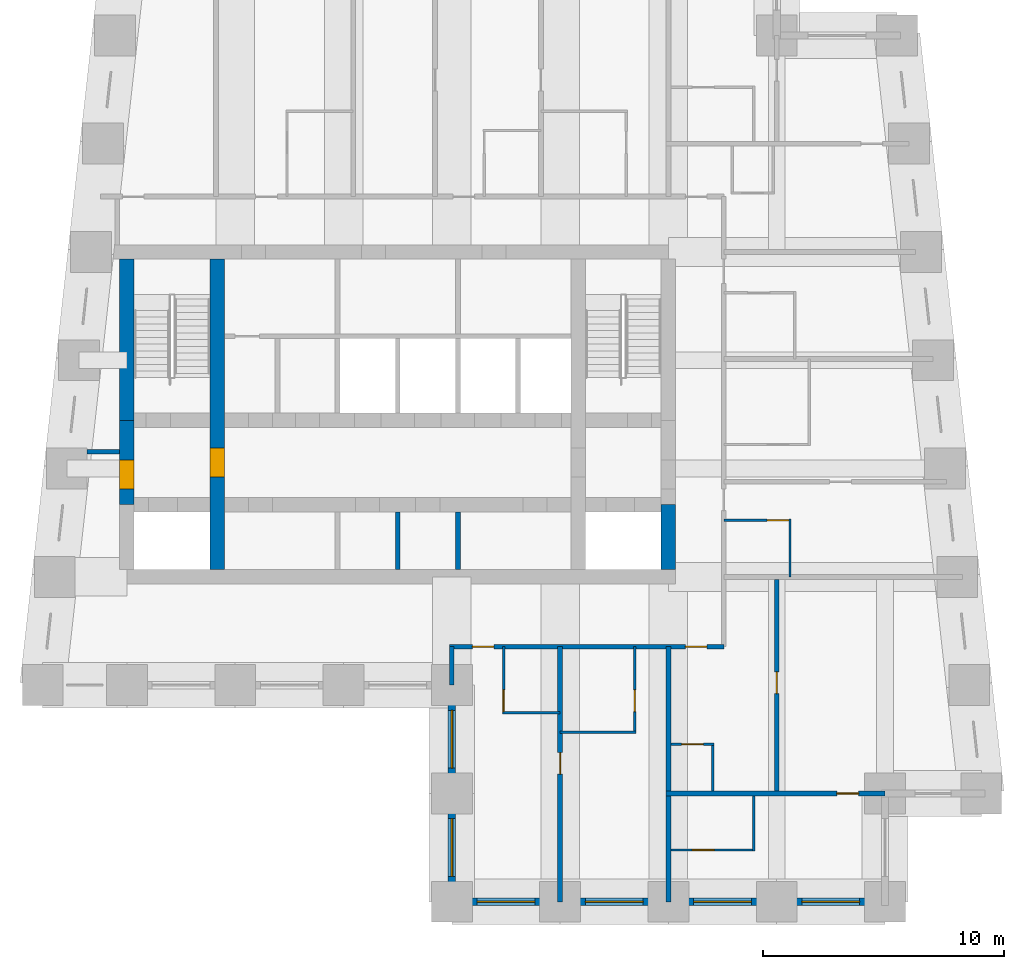
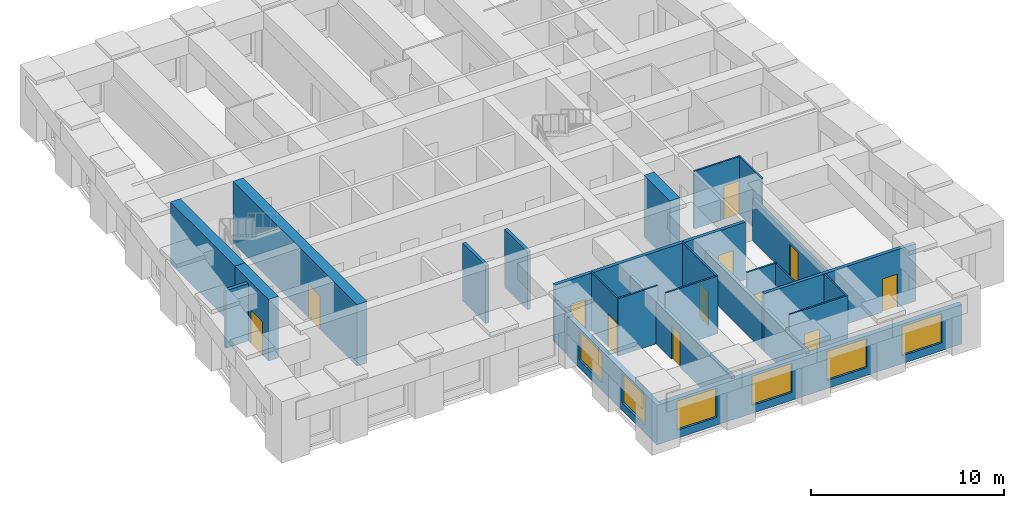
# One storey, part 2 of 7: 25 walls, 12 doors, 6 windows, 18 openings.
"""IFC4 building model written with IfcOpenShell, lengths in metres."""

import ifcopenshell
import ifcopenshell.guid

model = None  # the IFC model being written
_history = None  # IfcOwnerHistory: only IFC2X3 demands one
_inside = {}  # id of a spatial element -> (the spatial element, [elements in it])
_under = {}  # id of a project, library or spatial element -> (it, [spatial elements below it])
_declared = {}  # id of a project -> (the project, [libraries it declares])
_typed = {}  # id of a type object -> (the type object, [elements of that type])
_made_of = {}  # id of a material, layer set ... -> (it, [elements and type objects made of it])


def new_model(schema):
    """Start an empty IFC model of exactly this schema.

    Asked for "IFC4X3", IfcOpenShell would pick the latest addendum, in which some entities
    have other attributes; the version numbers below select the first issue.
    IFC2X3 requires an IfcOwnerHistory on every rooted entity: one is made here for all.
    """
    global model, _history
    if schema == "IFC4X3":
        model = ifcopenshell.file(schema_version=(4, 3, 0, 0))
    else:
        model = ifcopenshell.file(schema=schema)
    _inside.clear()
    _under.clear()
    _declared.clear()
    _typed.clear()
    _made_of.clear()
    _history = None
    if model.schema == "IFC2X3":
        org = make("IfcOrganization", Name="unknown")
        user = make(
            "IfcPersonAndOrganization",
            ThePerson=make("IfcPerson", FamilyName="unknown"),
            TheOrganization=org,
        )
        app = make(
            "IfcApplication",
            ApplicationDeveloper=org,
            Version="unknown",
            ApplicationFullName="unknown",
            ApplicationIdentifier="unknown",
        )
        _history = make(
            "IfcOwnerHistory",
            OwningUser=user,
            OwningApplication=app,
            ChangeAction="ADDED",
            CreationDate=0,
        )
    return model


def make(cls, **values):
    """One entity of the class cls with the attributes given. An attribute that is None is left unset."""
    return model.create_entity(
        cls, **{name: value for name, value in values.items() if value is not None}
    )


def rooted(cls, **values):
    """An entity with a GlobalId (a new one), such as an element, a storey or a relation."""
    return make(cls, GlobalId=ifcopenshell.guid.new(), OwnerHistory=_history, **values)


def si_unit(unit_type, name, prefix=None):
    """IfcSIUnit, for example si_unit("LENGTHUNIT", "METRE", prefix="MILLI")."""
    return make("IfcSIUnit", UnitType=unit_type, Prefix=prefix, Name=name)


def assignment(units):
    """IfcUnitAssignment: the units of a project."""
    return None if units is None else make("IfcUnitAssignment", Units=units)


def point(xyz):
    """IfcCartesianPoint."""
    return None if xyz is None else make("IfcCartesianPoint", Coordinates=xyz)


def direction(xyz):
    """IfcDirection."""
    return None if xyz is None else make("IfcDirection", DirectionRatios=xyz)


def frame(location, z_axis=None, x_axis=None):
    """IfcAxis2Placement3D, a coordinate frame: its origin and axes. An axis left out is left unset."""
    return make(
        "IfcAxis2Placement3D",
        Location=point(location),
        Axis=direction(z_axis),
        RefDirection=direction(x_axis),
    )


def frame_2d(location, x_axis=None):
    """IfcAxis2Placement2D, a coordinate frame in the plane: its origin and x axis."""
    return make(
        "IfcAxis2Placement2D", Location=point(location), RefDirection=direction(x_axis)
    )


def origin():
    """The frame at (0, 0, 0) with its axes left unset."""
    return frame((0.0, 0.0, 0.0))


def place(relative_to, where):
    """IfcLocalPlacement: puts the frame where relative to a parent placement (None: the world)."""
    return make(
        "IfcLocalPlacement", PlacementRelTo=relative_to, RelativePlacement=where
    )


def context(
    kind, dimensions, precision=None, world=None, true_north=None, identifier=None
):
    """IfcGeometricRepresentationContext, for example the 3D "Model" context."""
    return make(
        "IfcGeometricRepresentationContext",
        ContextIdentifier=identifier,
        ContextType=kind,
        CoordinateSpaceDimension=dimensions,
        Precision=precision,
        WorldCoordinateSystem=world,
        TrueNorth=true_north,
    )


def subcontext(parent, identifier, kind, view, scale=None):
    """IfcGeometricRepresentationSubContext, for example "Body" below "Model"."""
    return make(
        "IfcGeometricRepresentationSubContext",
        ContextIdentifier=identifier,
        ContextType=kind,
        ParentContext=parent,
        TargetScale=scale,
        TargetView=view,
    )


def project(units=None, contexts=None):
    """IfcProject with its units and contexts."""
    return rooted(
        "IfcProject",
        Name="project",
        RepresentationContexts=contexts,
        UnitsInContext=assignment(units),
    )


def spatial(cls, under=None, at=None, **own):
    """A site, building, storey or space (cls), placed at a placement, below another one or the project."""
    s = rooted(cls, ObjectPlacement=at, **own)
    if under is not None:
        _under.setdefault(under.id(), (under, []))[1].append(s)
    return s


def profile(cls, at=None, kind="AREA", **sizes):
    """A parametric profile (cls). Its sizes go by their IFC names, for example OverallWidth=200.0."""
    return make(cls, ProfileType=kind, Position=at, **sizes)


def rectangle(**sizes):
    """IfcRectangleProfileDef."""
    return profile("IfcRectangleProfileDef", **sizes)


def extrude(swept, where, along, depth):
    """IfcExtrudedAreaSolid: the profile swept, set in the frame where, extruded along a direction by depth."""
    return make(
        "IfcExtrudedAreaSolid",
        SweptArea=swept,
        Position=where,
        ExtrudedDirection=direction(along),
        Depth=depth,
    )


def shape(context_of_items, identifier, shape_type, items):
    """IfcShapeRepresentation: the items that make up one representation, for example the "Body"."""
    return make(
        "IfcShapeRepresentation",
        ContextOfItems=context_of_items,
        RepresentationIdentifier=identifier,
        RepresentationType=shape_type,
        Items=items,
    )


def material(Name=None, Category=None):
    """IfcMaterial."""
    return make("IfcMaterial", Name=Name, Category=Category)


def layer(
    of_material, thickness, ventilated=None, Name=None, Category=None, Priority=None
):
    """IfcMaterialLayer: one layer of a wall or slab, of a material (None: an air gap)."""
    return make(
        "IfcMaterialLayer",
        Material=of_material,
        LayerThickness=thickness,
        IsVentilated=ventilated,
        Name=Name,
        Category=Category,
        Priority=Priority,
    )


def layer_set(layers, Name=None):
    """IfcMaterialLayerSet."""
    return make("IfcMaterialLayerSet", MaterialLayers=layers, LayerSetName=Name)


def made_of(thing, what):
    """Note that an element or type object is made of a material, layer set ...; save() writes the relation."""
    if what is not None:
        _made_of.setdefault(what.id(), (what, []))[1].append(thing)
    return thing


def type_object(cls, material=None, **own):
    """A type object (cls), such as IfcWallType, which elements share."""
    return made_of(rooted(cls, **own), material)


def element(
    cls,
    number,
    at=None,
    inside=None,
    cuts=None,
    type_object=None,
    material=None,
    context=None,
    identifier="Body",
    shape_type=None,
    held_by="IfcProductDefinitionShape",
    body=None,
    shapes=None,
    **own,
):
    """One element of the class cls, such as IfcWall. Its Tag is "e" and its number.

    at: its placement. inside: the storey or other place that contains it. cuts: it is an
    opening in that element (IfcRelVoidsElement). A single representation is given by context,
    identifier, shape_type and body (its items); several are given by shapes. held_by: the class
    of the entity that holds the representations. save() writes the other relations.
    """
    e = rooted(cls, Tag="e%d" % number, ObjectPlacement=at, **own)
    if body is not None:
        shapes = [shape(context, identifier, shape_type, body)]
    if shapes is not None:
        e.Representation = make(held_by, Representations=shapes)
    if inside is not None:
        _inside.setdefault(inside.id(), (inside, []))[1].append(e)
    if cuts is not None:
        rooted(
            "IfcRelVoidsElement", RelatingBuildingElement=cuts, RelatedOpeningElement=e
        )
    if type_object is not None:
        _typed.setdefault(type_object.id(), (type_object, []))[1].append(e)
    return made_of(e, material)


def fill(opening, filler):
    """IfcRelFillsElement: the door or window that sits in an opening."""
    return rooted(
        "IfcRelFillsElement",
        RelatingOpeningElement=opening,
        RelatedBuildingElement=filler,
    )


def aggregate(whole, parts):
    """IfcRelAggregates: a whole, such as a stair, and the parts it consists of."""
    return rooted("IfcRelAggregates", RelatingObject=whole, RelatedObjects=parts)


def save(model, path):
    """Write the relations noted so far, then the file.

    IfcRelAggregates (storeys below a building ...), IfcRelContainedInSpatialStructure (elements
    in a storey), IfcRelDefinesByType, IfcRelAssociatesMaterial and IfcRelDeclares: one each for
    every whole, place, type object, material and project.
    """
    for whole, parts in _under.values():
        aggregate(whole, parts)
    for where, things in _inside.values():
        rooted(
            "IfcRelContainedInSpatialStructure",
            RelatedElements=things,
            RelatingStructure=where,
        )
    for kind, things in _typed.values():
        rooted("IfcRelDefinesByType", RelatedObjects=things, RelatingType=kind)
    for what, things in _made_of.values():
        rooted("IfcRelAssociatesMaterial", RelatedObjects=things, RelatingMaterial=what)
    for by, libraries in _declared.values():
        rooted("IfcRelDeclares", RelatingContext=by, RelatedDefinitions=libraries)
    model.write(path)


model = new_model("IFC4")

# Units and contexts
model_context = context("Model", 3, precision=1e-05, world=origin(), true_north=direction((0.0, 1.0)))
body_context = subcontext(model_context, "Body", "Model", "MODEL_VIEW")
ifc_project = project(units=[si_unit("LENGTHUNIT", "METRE"), si_unit("AREAUNIT", "SQUARE_METRE"), si_unit("VOLUMEUNIT", "CUBIC_METRE"), si_unit("PLANEANGLEUNIT", "RADIAN"), si_unit("MASSUNIT", "GRAM", prefix="KILO")], contexts=[model_context])

# Site, building, storey
site_placement = place(None, origin())
site = spatial("IfcSite", under=ifc_project, at=site_placement, CompositionType="ELEMENT")
building_placement = place(site_placement, origin())
building = spatial("IfcBuilding", under=site, at=building_placement, Name="Kilele Tower Hotel", CompositionType="ELEMENT")
storey_placement = place(building_placement, frame((0.0, 0.0, 236.89990234375)))
storey = spatial("IfcBuildingStorey", under=building, at=storey_placement, Name="L61", CompositionType="ELEMENT", Elevation=236.89990234375)

# Wall
ifc_material_1 = material(Name="Moisture-resistant board")
ifc_layer_1 = layer(ifc_material_1, 0.10009765625)
ifc_layer_set_1 = layer_set([ifc_layer_1], Name="Moisture-resistant board")
wall_type_1 = type_object("IfcWallType", Name="Bathroom partition 100", PredefinedType="PLUMBINGWALL", material=ifc_layer_set_1)
wall_1_placement = place(storey_placement, frame((29.10009765625, 7.85009765625, 0.0), z_axis=(0.0, 0.0, 1.0), x_axis=(1.0, 0.0, 0.0)))
element("IfcWall", 1, at=wall_1_placement, inside=storey, type_object=wall_type_1, Name="Bathroom partition 100 L61", PredefinedType="PLUMBINGWALL", context=body_context, shape_type="SweptSolid", body=[
    extrude(rectangle(XDim=2.39990234375, YDim=0.10009765625, at=frame_2d((1.199951171875, 0.0))), origin(), (0.0, 0.0, 1.0), 3.650146484375),
])

# Wall, opening, door
wall_2_placement = place(storey_placement, frame((29.14990234375, 10.60009765625, 0.0), z_axis=(0.0, 0.0, 1.0), x_axis=(0.0, -1.0, 0.0)))
wall_2 = element("IfcWall", 2, at=wall_2_placement, inside=storey, type_object=wall_type_1, Name="Bathroom partition 100 L61", PredefinedType="PLUMBINGWALL", context=body_context, shape_type="SweptSolid", body=[
    extrude(rectangle(XDim=2.800048828125, YDim=0.10009765625, at=frame_2d((1.39990234375, 0.0))), origin(), (0.0, 0.0, 1.0), 3.650146484375),
])
opening_1_placement = place(wall_2_placement, frame((2.699951171875, 0.0, 0.0), z_axis=(0.0, 0.0, 1.0), x_axis=(-1.0, 0.0, 0.0)))
opening_1 = element("IfcOpeningElement", 3, at=opening_1_placement, cuts=wall_2, Name="Opening D2A", PredefinedType="OPENING", context=body_context, shape_type="SweptSolid", body=[
    extrude(rectangle(XDim=0.89990234375, YDim=2.10009765625, at=frame_2d((0.449951171875, 1.050048828125))), frame((0.0, 0.06005859375, 0.0), z_axis=(0.0, -1.0, 0.0), x_axis=(1.0, 0.0, 0.0)), (0.0, 0.0, 1.0), 0.1201171875),
])
ifc_material_2 = material(Name="Timber door leaf in hardwood frame", Category="wood")
door_type_1 = type_object("IfcDoorType", Name="Bathroom door 900", OperationType="SINGLE_SWING_LEFT", PredefinedType="DOOR", material=ifc_material_2)
door_1_placement = place(opening_1_placement, origin())
door_1 = element("IfcDoor", 4, at=door_1_placement, inside=storey, type_object=door_type_1, Name="Bathroom door 6102B", OperationType="SINGLE_SWING_LEFT", OverallHeight=2.10009765625, OverallWidth=0.89990234375, PredefinedType="DOOR", context=body_context, shape_type="SweptSolid", body=[
    extrude(rectangle(XDim=0.89990234375, YDim=2.10009765625, at=frame_2d((0.449951171875, 1.050048828125))), frame((0.0, 0.02490234375, 0.0), z_axis=(0.0, -1.0, 0.0), x_axis=(1.0, 0.0, 0.0)), (0.0, 0.0, 1.0), 0.050048828125),
])
fill(opening_1, door_1)

# Wall
wall_3_placement = place(storey_placement, frame((31.5, 7.050048828125, 0.0), z_axis=(0.0, 0.0, 1.0), x_axis=(1.0, 0.0, 0.0)))
element("IfcWall", 5, at=wall_3_placement, inside=storey, type_object=wall_type_1, Name="Bathroom partition 100 L61", PredefinedType="PLUMBINGWALL", context=body_context, shape_type="SweptSolid", body=[
    extrude(rectangle(XDim=3.14990234375, YDim=0.10009765625, at=frame_2d((1.574951171875, 0.0))), origin(), (0.0, 0.0, 1.0), 3.650146484375),
])

# Wall, opening, door
wall_4_placement = place(storey_placement, frame((34.60009765625, 10.60009765625, 0.0), z_axis=(0.0, 0.0, 1.0), x_axis=(0.0, -1.0, 0.0)))
wall_4 = element("IfcWall", 6, at=wall_4_placement, inside=storey, type_object=wall_type_1, Name="Bathroom partition 100 L61", PredefinedType="PLUMBINGWALL", context=body_context, shape_type="SweptSolid", body=[
    extrude(rectangle(XDim=3.60009765625, YDim=0.10009765625, at=frame_2d((1.800048828125, 0.0))), origin(), (0.0, 0.0, 1.0), 3.650146484375),
])
opening_2_placement = place(wall_4_placement, frame((1.800048828125, 0.0, 0.0)))
opening_2 = element("IfcOpeningElement", 7, at=opening_2_placement, cuts=wall_4, Name="Opening D2A", PredefinedType="OPENING", context=body_context, shape_type="SweptSolid", body=[
    extrude(rectangle(XDim=0.89990234375, YDim=2.10009765625, at=frame_2d((0.449951171875, 1.050048828125))), frame((0.0, 0.06005859375, 0.0), z_axis=(0.0, -1.0, 0.0), x_axis=(1.0, 0.0, 0.0)), (0.0, 0.0, 1.0), 0.1201171875),
])
door_2_placement = place(opening_2_placement, origin())
door_2 = element("IfcDoor", 8, at=door_2_placement, inside=storey, type_object=door_type_1, Name="Bathroom door 6103B", OperationType="SINGLE_SWING_RIGHT", OverallHeight=2.10009765625, OverallWidth=0.89990234375, PredefinedType="DOOR", context=body_context, shape_type="SweptSolid", body=[
    extrude(rectangle(XDim=0.89990234375, YDim=2.10009765625, at=frame_2d((0.449951171875, 1.050048828125))), frame((0.0, 0.02490234375, 0.0), z_axis=(0.0, -1.0, 0.0), x_axis=(1.0, 0.0, 0.0)), (0.0, 0.0, 1.0), 0.050048828125),
])
fill(opening_2, door_2)

# Wall
wall_5_placement = place(storey_placement, frame((41.050048828125, 13.5, 0.0), z_axis=(0.0, 0.0, 1.0), x_axis=(0.0, 1.0, 0.0)))
element("IfcWall", 9, at=wall_5_placement, inside=storey, type_object=wall_type_1, Name="Bathroom partition 100 L61", PredefinedType="PLUMBINGWALL", context=body_context, shape_type="SweptSolid", body=[
    extrude(rectangle(XDim=2.39990234375, YDim=0.10009765625, at=frame_2d((1.199951171875, 0.0))), origin(), (0.0, 0.0, 1.0), 3.650146484375),
])

# Wall, opening, door
wall_6_placement = place(storey_placement, frame((38.300048828125, 15.85009765625, 0.0), z_axis=(0.0, 0.0, 1.0), x_axis=(1.0, 0.0, 0.0)))
wall_6 = element("IfcWall", 10, at=wall_6_placement, inside=storey, type_object=wall_type_1, Name="Bathroom partition 100 L61", PredefinedType="PLUMBINGWALL", context=body_context, shape_type="SweptSolid", body=[
    extrude(rectangle(XDim=2.800048828125, YDim=0.10009765625, at=frame_2d((1.39990234375, 0.0))), origin(), (0.0, 0.0, 1.0), 3.650146484375),
])
opening_3_placement = place(wall_6_placement, frame((1.800048828125, 0.0, 0.0)))
opening_3 = element("IfcOpeningElement", 11, at=opening_3_placement, cuts=wall_6, Name="Opening D2A", PredefinedType="OPENING", context=body_context, shape_type="SweptSolid", body=[
    extrude(rectangle(XDim=0.89990234375, YDim=2.10009765625, at=frame_2d((0.449951171875, 1.050048828125))), frame((0.0, 0.06005859375, 0.0), z_axis=(0.0, -1.0, 0.0), x_axis=(1.0, 0.0, 0.0)), (0.0, 0.0, 1.0), 0.1201171875),
])
door_3_placement = place(opening_3_placement, origin())
door_3 = element("IfcDoor", 12, at=door_3_placement, inside=storey, type_object=door_type_1, Name="Bathroom door 6104B", OperationType="SINGLE_SWING_RIGHT", OverallHeight=2.10009765625, OverallWidth=0.89990234375, PredefinedType="DOOR", context=body_context, shape_type="SweptSolid", body=[
    extrude(rectangle(XDim=0.89990234375, YDim=2.10009765625, at=frame_2d((0.449951171875, 1.050048828125))), frame((0.0, 0.02490234375, 0.0), z_axis=(0.0, -1.0, 0.0), x_axis=(1.0, 0.0, 0.0)), (0.0, 0.0, 1.0), 0.050048828125),
])
fill(opening_3, door_3)

# Wall
wall_7_placement = place(storey_placement, frame((37.85009765625, 4.60009765625, 0.0), z_axis=(0.0, 0.0, 1.0), x_axis=(0.0, 1.0, 0.0)))
element("IfcWall", 13, at=wall_7_placement, inside=storey, type_object=wall_type_1, Name="Bathroom partition 100 L61", PredefinedType="PLUMBINGWALL", context=body_context, shape_type="SweptSolid", body=[
    extrude(rectangle(XDim=2.0, YDim=0.10009765625, at=frame_2d((1.0, 0.0))), origin(), (0.0, 0.0, 1.0), 3.650146484375),
])

# Wall, opening, door
wall_8_placement = place(storey_placement, frame((36.10009765625, 6.550048828125, 0.0), z_axis=(0.0, 0.0, 1.0), x_axis=(1.0, 0.0, 0.0)))
wall_8 = element("IfcWall", 14, at=wall_8_placement, inside=storey, type_object=wall_type_1, Name="Bathroom partition 100 L61", PredefinedType="PLUMBINGWALL", context=body_context, shape_type="SweptSolid", body=[
    extrude(rectangle(XDim=1.7998046875, YDim=0.10009765625, at=frame_2d((0.89990234375, 0.0))), origin(), (0.0, 0.0, 1.0), 3.650146484375),
])
opening_4_placement = place(wall_8_placement, frame((0.449951171875, 0.0, 0.0)))
opening_4 = element("IfcOpeningElement", 15, at=opening_4_placement, cuts=wall_8, Name="Opening D2A", PredefinedType="OPENING", context=body_context, shape_type="SweptSolid", body=[
    extrude(rectangle(XDim=0.89990234375, YDim=2.10009765625, at=frame_2d((0.449951171875, 1.050048828125))), frame((0.0, 0.06005859375, 0.0), z_axis=(0.0, -1.0, 0.0), x_axis=(1.0, 0.0, 0.0)), (0.0, 0.0, 1.0), 0.1201171875),
])
door_4_placement = place(opening_4_placement, origin())
door_4 = element("IfcDoor", 16, at=door_4_placement, inside=storey, type_object=door_type_1, Name="Bathroom door 6112P", OperationType="SINGLE_SWING_LEFT", OverallHeight=2.10009765625, OverallWidth=0.89990234375, PredefinedType="DOOR", context=body_context, shape_type="SweptSolid", body=[
    extrude(rectangle(XDim=0.89990234375, YDim=2.10009765625, at=frame_2d((0.449951171875, 1.050048828125))), frame((0.0, 0.02490234375, 0.0), z_axis=(0.0, -1.0, 0.0), x_axis=(1.0, 0.0, 0.0)), (0.0, 0.0, 1.0), 0.050048828125),
])
fill(opening_4, door_4)

# Wall
wall_9_placement = place(storey_placement, frame((39.550048828125, 4.39990234375, 0.0), z_axis=(0.0, 0.0, 1.0), x_axis=(0.0, -1.0, 0.0)))
element("IfcWall", 17, at=wall_9_placement, inside=storey, type_object=wall_type_1, Name="Bathroom partition 100 L61", PredefinedType="PLUMBINGWALL", context=body_context, shape_type="SweptSolid", body=[
    extrude(rectangle(XDim=2.2998046875, YDim=0.10009765625, at=frame_2d((1.14990234375, 0.0))), origin(), (0.0, 0.0, 1.0), 3.650146484375),
])

# Wall, opening, door
wall_10_placement = place(storey_placement, frame((36.10009765625, 2.14990234375, 0.0), z_axis=(0.0, 0.0, 1.0), x_axis=(1.0, 0.0, 0.0)))
wall_10 = element("IfcWall", 18, at=wall_10_placement, inside=storey, type_object=wall_type_1, Name="Bathroom partition 100 L61", PredefinedType="PLUMBINGWALL", context=body_context, shape_type="SweptSolid", body=[
    extrude(rectangle(XDim=3.5, YDim=0.10009765625, at=frame_2d((1.75, 0.0))), origin(), (0.0, 0.0, 1.0), 3.650146484375),
])
opening_5_placement = place(wall_10_placement, frame((1.7998046875, 0.0, 0.0), z_axis=(0.0, 0.0, 1.0), x_axis=(-1.0, 0.0, 0.0)))
opening_5 = element("IfcOpeningElement", 19, at=opening_5_placement, cuts=wall_10, Name="Opening D2A", PredefinedType="OPENING", context=body_context, shape_type="SweptSolid", body=[
    extrude(rectangle(XDim=0.89990234375, YDim=2.10009765625, at=frame_2d((0.449951171875, 1.050048828125))), frame((0.0, 0.06005859375, 0.0), z_axis=(0.0, -1.0, 0.0), x_axis=(1.0, 0.0, 0.0)), (0.0, 0.0, 1.0), 0.1201171875),
])
door_5_placement = place(opening_5_placement, origin())
door_5 = element("IfcDoor", 20, at=door_5_placement, inside=storey, type_object=door_type_1, Name="Bathroom door 6114B", OperationType="SINGLE_SWING_RIGHT", OverallHeight=2.10009765625, OverallWidth=0.89990234375, PredefinedType="DOOR", context=body_context, shape_type="SweptSolid", body=[
    extrude(rectangle(XDim=0.89990234375, YDim=2.10009765625, at=frame_2d((0.449951171875, 1.050048828125))), frame((0.0, 0.02490234375, 0.0), z_axis=(0.0, -1.0, 0.0), x_axis=(1.0, 0.0, 0.0)), (0.0, 0.0, 1.0), 0.050048828125),
])
fill(opening_5, door_5)

ifc_material_3 = material(Name="Concrete C60/75", Category="concrete")
ifc_layer_2 = layer(ifc_material_3, 0.60009765625)
ifc_layer_set_2 = layer_set([ifc_layer_2], Name="Concrete C60/75")
wall_type_2 = type_object("IfcWallType", Name="Core wall 600 C60/75", PredefinedType="SHEAR", material=ifc_layer_set_2)
wall_11_placement = place(storey_placement, frame((17.25, 13.800048828125, 0.0), z_axis=(0.0, 0.0, 1.0), x_axis=(0.0, 1.0, 0.0)))
wall_11 = element("IfcWall", 21, at=wall_11_placement, inside=storey, type_object=wall_type_2, Name="Core wall IW L61", PredefinedType="SHEAR", context=body_context, shape_type="SweptSolid", body=[
    extrude(rectangle(XDim=12.89990234375, YDim=0.60009765625, at=frame_2d((6.449951171875, 0.0))), origin(), (0.0, 0.0, 1.0), 3.900146484375),
])
opening_6_placement = place(wall_11_placement, frame((3.85009765625, 0.0, 0.0)))
opening_6 = element("IfcOpeningElement", 22, at=opening_6_placement, cuts=wall_11, Name="Opening D4", PredefinedType="OPENING", context=body_context, shape_type="SweptSolid", body=[
    extrude(rectangle(XDim=1.199951171875, YDim=2.10009765625, at=frame_2d((0.60009765625, 1.050048828125))), frame((0.0, 0.31005859375, 0.0), z_axis=(0.0, -1.0, 0.0), x_axis=(1.0, 0.0, 0.0)), (0.0, 0.0, 1.0), 0.6201171875),
])
ifc_material_4 = material(Name="Timber door leaf in hardwood frame", Category="wood")
door_type_2 = type_object("IfcDoorType", Name="Firefighting lobby door 1200", OperationType="SINGLE_SWING_LEFT", PredefinedType="DOOR", material=ifc_material_4)
door_6_placement = place(opening_6_placement, origin())
door_6 = element("IfcDoor", 23, at=door_6_placement, inside=storey, type_object=door_type_2, Name="Lobby door L61", OperationType="SINGLE_SWING_LEFT", OverallHeight=2.10009765625, OverallWidth=1.199951171875, PredefinedType="DOOR", context=body_context, shape_type="SweptSolid", body=[
    extrude(rectangle(XDim=1.199951171875, YDim=2.10009765625, at=frame_2d((0.60009765625, 1.050048828125))), frame((0.0, 0.2998046875, 0.0), z_axis=(0.0, -1.0, 0.0), x_axis=(1.0, 0.0, 0.0)), (0.0, 0.0, 1.0), 0.599609375),
])
fill(opening_6, door_6)

# Wall
wall_12_placement = place(storey_placement, frame((13.5, 26.699951171875, 0.0), z_axis=(0.0, 0.0, 1.0), x_axis=(0.0, -1.0, 0.0)))
element("IfcWall", 24, at=wall_12_placement, inside=storey, type_object=wall_type_2, Name="Core wall W1 L61", PredefinedType="SHEAR", context=body_context, shape_type="SweptSolid", body=[
    extrude(rectangle(XDim=6.699951171875, YDim=0.60009765625, at=frame_2d((3.35009765625, 0.0))), origin(), (0.0, 0.0, 1.0), 3.900146484375),
])

# Wall, opening, door
wall_13_placement = place(storey_placement, frame((13.5, 20.0, 0.0), z_axis=(0.0, 0.0, 1.0), x_axis=(0.0, -1.0, 0.0)))
wall_13 = element("IfcWall", 25, at=wall_13_placement, inside=storey, type_object=wall_type_2, Name="Core wall W2 L61", PredefinedType="SHEAR", context=body_context, shape_type="SweptSolid", body=[
    extrude(rectangle(XDim=3.5, YDim=0.60009765625, at=frame_2d((1.75, 0.0))), origin(), (0.0, 0.0, 1.0), 3.900146484375),
])
opening_7_placement = place(wall_13_placement, frame((1.64990234375, 0.0, 0.0)))
opening_7 = element("IfcOpeningElement", 26, at=opening_7_placement, cuts=wall_13, Name="Opening D4", PredefinedType="OPENING", context=body_context, shape_type="SweptSolid", body=[
    extrude(rectangle(XDim=1.199951171875, YDim=2.10009765625, at=frame_2d((0.60009765625, 1.050048828125))), frame((0.0, 0.31005859375, 0.0), z_axis=(0.0, -1.0, 0.0), x_axis=(1.0, 0.0, 0.0)), (0.0, 0.0, 1.0), 0.6201171875),
])
door_7_placement = place(opening_7_placement, origin())
door_7 = element("IfcDoor", 27, at=door_7_placement, inside=storey, type_object=door_type_2, Name="Lobby door L61", OperationType="SINGLE_SWING_RIGHT", OverallHeight=2.10009765625, OverallWidth=1.199951171875, PredefinedType="DOOR", context=body_context, shape_type="SweptSolid", body=[
    extrude(rectangle(XDim=1.199951171875, YDim=2.10009765625, at=frame_2d((0.60009765625, 1.050048828125))), frame((0.0, 0.2998046875, 0.0), z_axis=(0.0, -1.0, 0.0), x_axis=(1.0, 0.0, 0.0)), (0.0, 0.0, 1.0), 0.599609375),
])
fill(opening_7, door_7)

# Wall
wall_14_placement = place(storey_placement, frame((36.0, 13.800048828125, 0.0), z_axis=(0.0, 0.0, 1.0), x_axis=(0.0, 1.0, 0.0)))
element("IfcWall", 28, at=wall_14_placement, inside=storey, type_object=wall_type_2, Name="Core wall E1 L61", PredefinedType="SHEAR", context=body_context, shape_type="SweptSolid", body=[
    extrude(rectangle(XDim=2.699951171875, YDim=0.60009765625, at=frame_2d((1.35009765625, 0.0))), origin(), (0.0, 0.0, 1.0), 3.900146484375),
])

# Wall, openings, doors
ifc_material_5 = material(Name="Blockwork, plastered both sides", Category="masonry")
ifc_layer_3 = layer(ifc_material_5, 0.199951171875)
ifc_layer_set_3 = layer_set([ifc_layer_3], Name="Blockwork, plastered both sides")
wall_type_3 = type_object("IfcWallType", Name="Corridor wall 200", PredefinedType="PARTITIONING", material=ifc_layer_set_3)
wall_15_placement = place(storey_placement, frame((26.89990234375, 10.60009765625, 0.0), z_axis=(0.0, 0.0, 1.0), x_axis=(1.0, 0.0, 0.0)))
wall_15 = element("IfcWall", 29, at=wall_15_placement, inside=storey, type_object=wall_type_3, Name="Corridor wall 200 L61", PredefinedType="PARTITIONING", context=body_context, shape_type="SweptSolid", body=[
    extrude(rectangle(XDim=11.400146484375, YDim=0.199951171875, at=frame_2d((5.7001953125, 0.0))), origin(), (0.0, 0.0, 1.0), 3.650146484375),
])
opening_8_placement = place(wall_15_placement, frame((1.849853515625, 0.0, 0.0), z_axis=(0.0, 0.0, 1.0), x_axis=(-1.0, 0.0, 0.0)))
opening_8 = element("IfcOpeningElement", 30, at=opening_8_placement, cuts=wall_15, Name="Opening D1", PredefinedType="OPENING", context=body_context, shape_type="SweptSolid", body=[
    extrude(rectangle(XDim=0.89990234375, YDim=2.10009765625, at=frame_2d((0.449951171875, 1.050048828125))), frame((0.0, 0.10986328125, 0.0), z_axis=(0.0, -1.0, 0.0), x_axis=(1.0, 0.0, 0.0)), (0.0, 0.0, 1.0), 0.219970703125),
])
opening_9_placement = place(wall_15_placement, frame((10.699951171875, 0.0, 0.0), z_axis=(0.0, 0.0, 1.0), x_axis=(-1.0, 0.0, 0.0)))
opening_9 = element("IfcOpeningElement", 31, at=opening_9_placement, cuts=wall_15, Name="Opening D1", PredefinedType="OPENING", context=body_context, shape_type="SweptSolid", body=[
    extrude(rectangle(XDim=0.89990234375, YDim=2.10009765625, at=frame_2d((0.449951171875, 1.050048828125))), frame((0.0, 0.10986328125, 0.0), z_axis=(0.0, -1.0, 0.0), x_axis=(1.0, 0.0, 0.0)), (0.0, 0.0, 1.0), 0.219970703125),
])
ifc_material_6 = material(Name="Timber door leaf in hardwood frame", Category="wood")
door_type_3 = type_object("IfcDoorType", Name="Guest room entrance door 900", OperationType="SINGLE_SWING_LEFT", PredefinedType="DOOR", material=ifc_material_6)
door_8_placement = place(opening_8_placement, origin())
door_8 = element("IfcDoor", 32, at=door_8_placement, inside=storey, type_object=door_type_3, Name="Room entrance 6102", OperationType="SINGLE_SWING_LEFT", OverallHeight=2.10009765625, OverallWidth=0.89990234375, PredefinedType="DOOR", context=body_context, shape_type="SweptSolid", body=[
    extrude(rectangle(XDim=0.89990234375, YDim=2.10009765625, at=frame_2d((0.449951171875, 1.050048828125))), frame((0.0, 0.02490234375, 0.0), z_axis=(0.0, -1.0, 0.0), x_axis=(1.0, 0.0, 0.0)), (0.0, 0.0, 1.0), 0.050048828125),
])
fill(opening_8, door_8)
door_9_placement = place(opening_9_placement, origin())
door_9 = element("IfcDoor", 33, at=door_9_placement, inside=storey, type_object=door_type_3, Name="Room entrance 6112", OperationType="SINGLE_SWING_RIGHT", OverallHeight=2.10009765625, OverallWidth=0.89990234375, PredefinedType="DOOR", context=body_context, shape_type="SweptSolid", body=[
    extrude(rectangle(XDim=0.89990234375, YDim=2.10009765625, at=frame_2d((0.449951171875, 1.050048828125))), frame((0.0, 0.02490234375, 0.0), z_axis=(0.0, -1.0, 0.0), x_axis=(1.0, 0.0, 0.0)), (0.0, 0.0, 1.0), 0.050048828125),
])
fill(opening_9, door_9)

# Wall
ifc_material_7 = material(Name="Blockwork, plastered both sides", Category="masonry")
ifc_layer_4 = layer(ifc_material_7, 0.199951171875)
ifc_layer_set_4 = layer_set([ifc_layer_4], Name="Blockwork, plastered both sides")
wall_type_4 = type_object("IfcWallType", Name="Partition wall 200", PredefinedType="PARTITIONING", material=ifc_layer_set_4)
wall_16_placement = place(storey_placement, frame((13.199951171875, 18.699951171875, 0.0), z_axis=(0.0, 0.0, 1.0), x_axis=(-1.0, 0.0, 0.0)))
element("IfcWall", 34, at=wall_16_placement, inside=storey, type_object=wall_type_4, Name="Partition wall 200 L61", PredefinedType="PARTITIONING", context=body_context, shape_type="SweptSolid", body=[
    extrude(rectangle(XDim=1.349853515625, YDim=0.199951171875, at=frame_2d((0.6748046875, 0.0))), origin(), (0.0, 0.0, 1.0), 3.650146484375),
])

# Wall, opening, door
wall_17_placement = place(storey_placement, frame((40.5, 4.60009765625, 0.0), z_axis=(0.0, 0.0, 1.0), x_axis=(0.0, 1.0, 0.0)))
wall_17 = element("IfcWall", 35, at=wall_17_placement, inside=storey, type_object=wall_type_4, Name="Partition wall 200 L61", PredefinedType="PARTITIONING", context=body_context, shape_type="SweptSolid", body=[
    extrude(rectangle(XDim=8.7998046875, YDim=0.199951171875, at=frame_2d((4.39990234375, 0.0))), origin(), (0.0, 0.0, 1.0), 2.650146484375),
])
opening_10_placement = place(wall_17_placement, frame((4.050048828125, 0.0, 0.0)))
opening_10 = element("IfcOpeningElement", 36, at=opening_10_placement, cuts=wall_17, Name="Opening D3", PredefinedType="OPENING", context=body_context, shape_type="SweptSolid", body=[
    extrude(rectangle(XDim=0.89990234375, YDim=2.10009765625, at=frame_2d((0.449951171875, 1.050048828125))), frame((0.0, 0.10986328125, 0.0), z_axis=(0.0, -1.0, 0.0), x_axis=(1.0, 0.0, 0.0)), (0.0, 0.0, 1.0), 0.219970703125),
])
ifc_material_8 = material(Name="Timber door leaf in hardwood frame", Category="wood")
door_type_4 = type_object("IfcDoorType", Name="Suite internal door 900", OperationType="SINGLE_SWING_LEFT", PredefinedType="DOOR", material=ifc_material_8)
door_10_placement = place(opening_10_placement, origin())
door_10 = element("IfcDoor", 37, at=door_10_placement, inside=storey, type_object=door_type_4, Name="Suite door 6113", OperationType="SINGLE_SWING_RIGHT", OverallHeight=2.10009765625, OverallWidth=0.89990234375, PredefinedType="DOOR", context=body_context, shape_type="SweptSolid", body=[
    extrude(rectangle(XDim=0.89990234375, YDim=2.10009765625, at=frame_2d((0.449951171875, 1.050048828125))), frame((0.0, 0.02490234375, 0.0), z_axis=(0.0, -1.0, 0.0), x_axis=(1.0, 0.0, 0.0)), (0.0, 0.0, 1.0), 0.050048828125),
])
fill(opening_10, door_10)

# Wall
ifc_material_9 = material(Name="Blockwork, plastered both sides", Category="masonry")
ifc_layer_5 = layer(ifc_material_9, 0.199951171875)
ifc_layer_set_5 = layer_set([ifc_layer_5], Name="Blockwork, plastered both sides")
wall_type_5 = type_object("IfcWallType", Name="Party wall 200", PredefinedType="PARTITIONING", material=ifc_layer_set_5)
wall_18_placement = place(storey_placement, frame((27.0, 10.60009765625, 0.0), z_axis=(0.0, 0.0, 1.0), x_axis=(0.0, -1.0, 0.0)))
element("IfcWall", 38, at=wall_18_placement, inside=storey, type_object=wall_type_5, Name="Party wall 200 L61", PredefinedType="PARTITIONING", context=body_context, shape_type="SweptSolid", body=[
    extrude(rectangle(XDim=1.60009765625, YDim=0.199951171875, at=frame_2d((0.800048828125, 0.0))), origin(), (0.0, 0.0, 1.0), 2.650146484375),
])

# Wall, opening, door
wall_19_placement = place(storey_placement, frame((31.5, 10.60009765625, 0.0), z_axis=(0.0, 0.0, 1.0), x_axis=(0.0, -1.0, 0.0)))
wall_19 = element("IfcWall", 39, at=wall_19_placement, inside=storey, type_object=wall_type_5, Name="Party wall 200 L61", PredefinedType="PARTITIONING", context=body_context, shape_type="SweptSolid", body=[
    extrude(rectangle(XDim=10.60009765625, YDim=0.199951171875, at=frame_2d((5.300048828125, 0.0))), origin(), (0.0, 0.0, 1.0), 2.650146484375),
])
opening_11_placement = place(wall_19_placement, frame((4.39990234375, 0.0, 0.0)))
opening_11 = element("IfcOpeningElement", 40, at=opening_11_placement, cuts=wall_19, Name="Opening D3", PredefinedType="OPENING", context=body_context, shape_type="SweptSolid", body=[
    extrude(rectangle(XDim=0.89990234375, YDim=2.10009765625, at=frame_2d((0.449951171875, 1.050048828125))), frame((0.0, 0.10986328125, 0.0), z_axis=(0.0, -1.0, 0.0), x_axis=(1.0, 0.0, 0.0)), (0.0, 0.0, 1.0), 0.219970703125),
])
door_11_placement = place(opening_11_placement, origin())
door_11 = element("IfcDoor", 41, at=door_11_placement, inside=storey, type_object=door_type_4, Name="Suite door 6103", OperationType="SINGLE_SWING_LEFT", OverallHeight=2.10009765625, OverallWidth=0.89990234375, PredefinedType="DOOR", context=body_context, shape_type="SweptSolid", body=[
    extrude(rectangle(XDim=0.89990234375, YDim=2.10009765625, at=frame_2d((0.449951171875, 1.050048828125))), frame((0.0, 0.02490234375, 0.0), z_axis=(0.0, -1.0, 0.0), x_axis=(1.0, 0.0, 0.0)), (0.0, 0.0, 1.0), 0.050048828125),
])
fill(opening_11, door_11)

# Wall
wall_20_placement = place(storey_placement, frame((36.0, 10.60009765625, 0.0), z_axis=(0.0, 0.0, 1.0), x_axis=(0.0, -1.0, 0.0)))
element("IfcWall", 42, at=wall_20_placement, inside=storey, type_object=wall_type_5, Name="Party wall 200 L61", PredefinedType="PARTITIONING", context=body_context, shape_type="SweptSolid", body=[
    extrude(rectangle(XDim=10.60009765625, YDim=0.199951171875, at=frame_2d((5.300048828125, 0.0))), origin(), (0.0, 0.0, 1.0), 2.650146484375),
])

# Wall, opening, door
wall_21_placement = place(storey_placement, frame((35.89990234375, 4.5, 0.0), z_axis=(0.0, 0.0, 1.0), x_axis=(1.0, 0.0, 0.0)))
wall_21 = element("IfcWall", 43, at=wall_21_placement, inside=storey, type_object=wall_type_5, Name="Party wall 200 L61", PredefinedType="PARTITIONING", context=body_context, shape_type="SweptSolid", body=[
    extrude(rectangle(XDim=9.10009765625, YDim=0.199951171875, at=frame_2d((4.550048828125, 0.0))), origin(), (0.0, 0.0, 1.0), 3.650146484375),
])
opening_12_placement = place(wall_21_placement, frame((7.10009765625, 0.0, 0.0)))
opening_12 = element("IfcOpeningElement", 44, at=opening_12_placement, cuts=wall_21, Name="Opening D3", PredefinedType="OPENING", context=body_context, shape_type="SweptSolid", body=[
    extrude(rectangle(XDim=0.89990234375, YDim=2.10009765625, at=frame_2d((0.449951171875, 1.050048828125))), frame((0.0, 0.10986328125, 0.0), z_axis=(0.0, -1.0, 0.0), x_axis=(1.0, 0.0, 0.0)), (0.0, 0.0, 1.0), 0.219970703125),
])
door_12_placement = place(opening_12_placement, origin())
door_12 = element("IfcDoor", 45, at=door_12_placement, inside=storey, type_object=door_type_4, Name="Suite door 6114", OperationType="SINGLE_SWING_RIGHT", OverallHeight=2.10009765625, OverallWidth=0.89990234375, PredefinedType="DOOR", context=body_context, shape_type="SweptSolid", body=[
    extrude(rectangle(XDim=0.89990234375, YDim=2.10009765625, at=frame_2d((0.449951171875, 1.050048828125))), frame((0.0, 0.02490234375, 0.0), z_axis=(0.0, -1.0, 0.0), x_axis=(1.0, 0.0, 0.0)), (0.0, 0.0, 1.0), 0.050048828125),
])
fill(opening_12, door_12)

# Wall, openings, windows
ifc_material_10 = material(Name="Concrete C40/50 precast", Category="concrete")
ifc_layer_6 = layer(ifc_material_10, 0.260009765625, Name="Precast backing", Category="LoadBearing")
ifc_material_11 = material(Name="Reconstituted stone finish", Category="masonry")
ifc_layer_7 = layer(ifc_material_11, 0.0400390625, Name="Face mix", Category="Finish")
ifc_layer_set_6 = layer_set([ifc_layer_6, ifc_layer_7], Name="Precast concrete C40/50, reconstituted stone finish")
wall_type_6 = type_object("IfcWallType", Name="Precast stone facade wall 300", PredefinedType="STANDARD", material=ifc_layer_set_6)
wall_22_placement = place(storey_placement, frame((27.0, 9.14990234375, 0.0), z_axis=(0.0, 0.0, 1.0), x_axis=(0.0, -1.0, 0.0)))
wall_22 = element("IfcWall", 46, at=wall_22_placement, inside=storey, type_object=wall_type_6, Name="Facade wall L61 edge 2", PredefinedType="STANDARD", context=body_context, shape_type="SweptSolid", body=[
    extrude(rectangle(XDim=9.2998046875, YDim=0.300048828125, at=frame_2d((4.64990234375, 0.0))), origin(), (0.0, 0.0, 1.0), 2.5),
])
opening_13_placement = place(wall_22_placement, frame((1.199951171875, 0.0, 0.5)))
opening_13 = element("IfcOpeningElement", 47, at=opening_13_placement, cuts=wall_22, Name="Opening W4", PredefinedType="OPENING", context=body_context, shape_type="SweptSolid", body=[
    extrude(rectangle(XDim=2.39990234375, YDim=1.85009765625, at=frame_2d((1.199951171875, 0.925048828125))), frame((0.0, 0.159912109375, 0.0), z_axis=(0.0, -1.0, 0.0), x_axis=(1.0, 0.0, 0.0)), (0.0, 0.0, 1.0), 0.320068359375),
])
opening_14_placement = place(wall_22_placement, frame((5.699951171875, 0.0, 0.5)))
opening_14 = element("IfcOpeningElement", 48, at=opening_14_placement, cuts=wall_22, Name="Opening W4", PredefinedType="OPENING", context=body_context, shape_type="SweptSolid", body=[
    extrude(rectangle(XDim=2.39990234375, YDim=1.85009765625, at=frame_2d((1.199951171875, 0.925048828125))), frame((0.0, 0.159912109375, 0.0), z_axis=(0.0, -1.0, 0.0), x_axis=(1.0, 0.0, 0.0)), (0.0, 0.0, 1.0), 0.320068359375),
])
ifc_material_12 = material(Name="Aluminium frame, clear double glazing", Category="aluminium")
window_type = type_object("IfcWindowType", Name="Window W4 2400 x 1850", PartitioningType="SINGLE_PANEL", PredefinedType="WINDOW", material=ifc_material_12)
window_1_placement = place(opening_13_placement, origin())
window_1 = element("IfcWindow", 49, at=window_1_placement, inside=storey, type_object=window_type, Name="Window L61", OverallHeight=1.85009765625, OverallWidth=2.39990234375, PartitioningType="SINGLE_PANEL", PredefinedType="WINDOW", context=body_context, shape_type="SweptSolid", body=[
    extrude(rectangle(XDim=2.39990234375, YDim=1.85009765625, at=frame_2d((1.199951171875, 0.925048828125))), frame((0.0, 0.030029296875, 0.0), z_axis=(0.0, -1.0, 0.0), x_axis=(1.0, 0.0, 0.0)), (0.0, 0.0, 1.0), 0.06005859375),
])
fill(opening_13, window_1)
window_2_placement = place(opening_14_placement, origin())
window_2 = element("IfcWindow", 50, at=window_2_placement, inside=storey, type_object=window_type, Name="Window L61", OverallHeight=1.85009765625, OverallWidth=2.39990234375, PartitioningType="SINGLE_PANEL", PredefinedType="WINDOW", context=body_context, shape_type="SweptSolid", body=[
    extrude(rectangle(XDim=2.39990234375, YDim=1.85009765625, at=frame_2d((1.199951171875, 0.925048828125))), frame((0.0, 0.030029296875, 0.0), z_axis=(0.0, -1.0, 0.0), x_axis=(1.0, 0.0, 0.0)), (0.0, 0.0, 1.0), 0.06005859375),
])
fill(opening_14, window_2)

wall_23_placement = place(storey_placement, frame((26.85009765625, 0.0, 0.0), z_axis=(0.0, 0.0, 1.0), x_axis=(1.0, 0.0, 0.0)))
wall_23 = element("IfcWall", 51, at=wall_23_placement, inside=storey, type_object=wall_type_6, Name="Facade wall L61 edge 3", PredefinedType="STANDARD", context=body_context, shape_type="SweptSolid", body=[
    extrude(rectangle(XDim=18.2998046875, YDim=0.300048828125, at=frame_2d((9.14990234375, 0.0))), origin(), (0.0, 0.0, 1.0), 2.5),
])
opening_15_placement = place(wall_23_placement, frame((1.199951171875, 0.0, 0.5)))
opening_15 = element("IfcOpeningElement", 52, at=opening_15_placement, cuts=wall_23, Name="Opening W4", PredefinedType="OPENING", context=body_context, shape_type="SweptSolid", body=[
    extrude(rectangle(XDim=2.39990234375, YDim=1.85009765625, at=frame_2d((1.199951171875, 0.925048828125))), frame((0.0, 0.159912109375, 0.0), z_axis=(0.0, -1.0, 0.0), x_axis=(1.0, 0.0, 0.0)), (0.0, 0.0, 1.0), 0.320068359375),
])
opening_16_placement = place(wall_23_placement, frame((5.699951171875, 0.0, 0.5)))
opening_16 = element("IfcOpeningElement", 53, at=opening_16_placement, cuts=wall_23, Name="Opening W4", PredefinedType="OPENING", context=body_context, shape_type="SweptSolid", body=[
    extrude(rectangle(XDim=2.39990234375, YDim=1.85009765625, at=frame_2d((1.199951171875, 0.925048828125))), frame((0.0, 0.159912109375, 0.0), z_axis=(0.0, -1.0, 0.0), x_axis=(1.0, 0.0, 0.0)), (0.0, 0.0, 1.0), 0.320068359375),
])
opening_17_placement = place(wall_23_placement, frame((10.199951171875, 0.0, 0.5)))
opening_17 = element("IfcOpeningElement", 54, at=opening_17_placement, cuts=wall_23, Name="Opening W4", PredefinedType="OPENING", context=body_context, shape_type="SweptSolid", body=[
    extrude(rectangle(XDim=2.39990234375, YDim=1.85009765625, at=frame_2d((1.199951171875, 0.925048828125))), frame((0.0, 0.159912109375, 0.0), z_axis=(0.0, -1.0, 0.0), x_axis=(1.0, 0.0, 0.0)), (0.0, 0.0, 1.0), 0.320068359375),
])
opening_18_placement = place(wall_23_placement, frame((14.699951171875, 0.0, 0.5)))
opening_18 = element("IfcOpeningElement", 55, at=opening_18_placement, cuts=wall_23, Name="Opening W4", PredefinedType="OPENING", context=body_context, shape_type="SweptSolid", body=[
    extrude(rectangle(XDim=2.39990234375, YDim=1.85009765625, at=frame_2d((1.199951171875, 0.925048828125))), frame((0.0, 0.159912109375, 0.0), z_axis=(0.0, -1.0, 0.0), x_axis=(1.0, 0.0, 0.0)), (0.0, 0.0, 1.0), 0.320068359375),
])
window_3_placement = place(opening_15_placement, origin())
window_3 = element("IfcWindow", 56, at=window_3_placement, inside=storey, type_object=window_type, Name="Window L61", OverallHeight=1.85009765625, OverallWidth=2.39990234375, PartitioningType="SINGLE_PANEL", PredefinedType="WINDOW", context=body_context, shape_type="SweptSolid", body=[
    extrude(rectangle(XDim=2.39990234375, YDim=1.85009765625, at=frame_2d((1.199951171875, 0.925048828125))), frame((0.0, 0.030029296875, 0.0), z_axis=(0.0, -1.0, 0.0), x_axis=(1.0, 0.0, 0.0)), (0.0, 0.0, 1.0), 0.06005859375),
])
fill(opening_15, window_3)
window_4_placement = place(opening_16_placement, origin())
window_4 = element("IfcWindow", 57, at=window_4_placement, inside=storey, type_object=window_type, Name="Window L61", OverallHeight=1.85009765625, OverallWidth=2.39990234375, PartitioningType="SINGLE_PANEL", PredefinedType="WINDOW", context=body_context, shape_type="SweptSolid", body=[
    extrude(rectangle(XDim=2.39990234375, YDim=1.85009765625, at=frame_2d((1.199951171875, 0.925048828125))), frame((0.0, 0.030029296875, 0.0), z_axis=(0.0, -1.0, 0.0), x_axis=(1.0, 0.0, 0.0)), (0.0, 0.0, 1.0), 0.06005859375),
])
fill(opening_16, window_4)
window_5_placement = place(opening_17_placement, origin())
window_5 = element("IfcWindow", 58, at=window_5_placement, inside=storey, type_object=window_type, Name="Window L61", OverallHeight=1.85009765625, OverallWidth=2.39990234375, PartitioningType="SINGLE_PANEL", PredefinedType="WINDOW", context=body_context, shape_type="SweptSolid", body=[
    extrude(rectangle(XDim=2.39990234375, YDim=1.85009765625, at=frame_2d((1.199951171875, 0.925048828125))), frame((0.0, 0.030029296875, 0.0), z_axis=(0.0, -1.0, 0.0), x_axis=(1.0, 0.0, 0.0)), (0.0, 0.0, 1.0), 0.06005859375),
])
fill(opening_17, window_5)
window_6_placement = place(opening_18_placement, origin())
window_6 = element("IfcWindow", 59, at=window_6_placement, inside=storey, type_object=window_type, Name="Window L61", OverallHeight=1.85009765625, OverallWidth=2.39990234375, PartitioningType="SINGLE_PANEL", PredefinedType="WINDOW", context=body_context, shape_type="SweptSolid", body=[
    extrude(rectangle(XDim=2.39990234375, YDim=1.85009765625, at=frame_2d((1.199951171875, 0.925048828125))), frame((0.0, 0.030029296875, 0.0), z_axis=(0.0, -1.0, 0.0), x_axis=(1.0, 0.0, 0.0)), (0.0, 0.0, 1.0), 0.06005859375),
])
fill(opening_18, window_6)

# Walls
ifc_material_13 = material(Name="Blockwork, fire-rated", Category="masonry")
ifc_layer_8 = layer(ifc_material_13, 0.199951171875)
ifc_layer_set_7 = layer_set([ifc_layer_8], Name="Blockwork, fire-rated")
wall_type_7 = type_object("IfcWallType", Name="Shaft wall 200", PredefinedType="PARTITIONING", material=ifc_layer_set_7)
for number, where, z_axis, x_axis, name in (
    (60, (24.75, 13.800048828125, 0.0), (0.0, 0.0, 1.0), (0.0, 1.0, 0.0), "Shaft wall 200 L61"),
    (61, (27.25, 13.800048828125, 0.0), (0.0, 0.0, 1.0), (0.0, 1.0, 0.0), "Shaft wall 200 L61"),
):
    element("IfcWall", number, at=place(storey_placement, frame(where, z_axis=z_axis, x_axis=x_axis)), inside=storey, type_object=wall_type_7, Name=name, PredefinedType="PARTITIONING", context=body_context, shape_type="SweptSolid", body=[
        extrude(rectangle(XDim=2.39990234375, YDim=0.199951171875, at=frame_2d((1.199951171875, 0.0))), origin(), (0.0, 0.0, 1.0), 3.650146484375),
    ])

save(model, "model.ifc")
